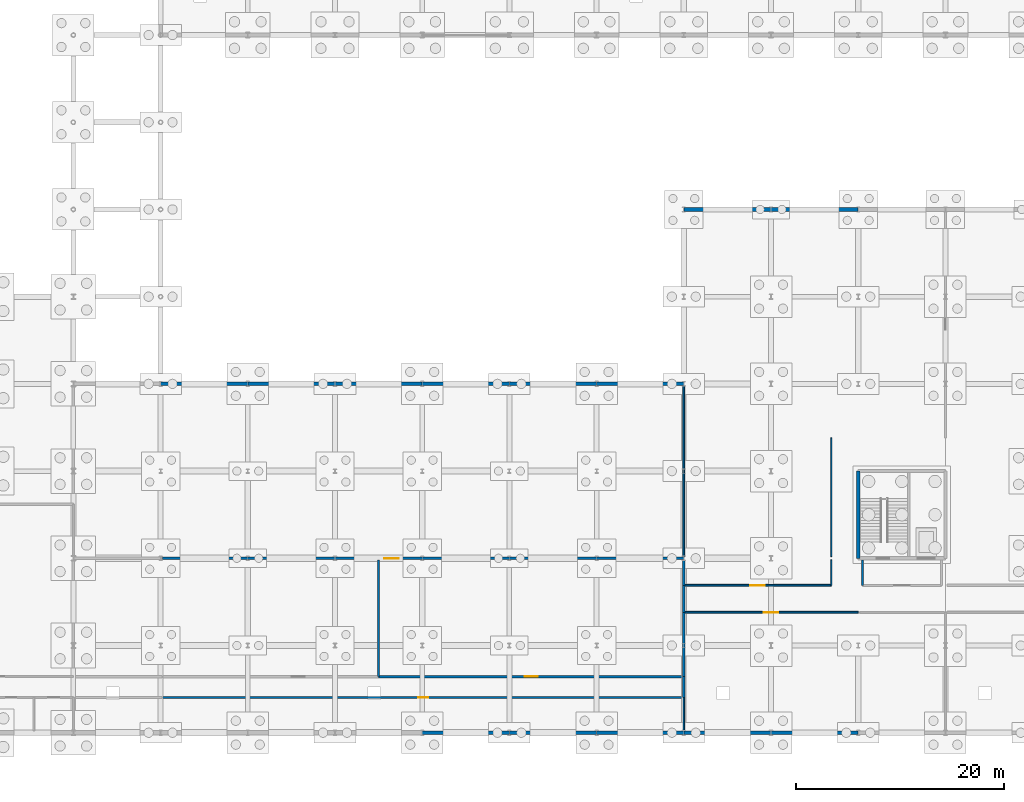
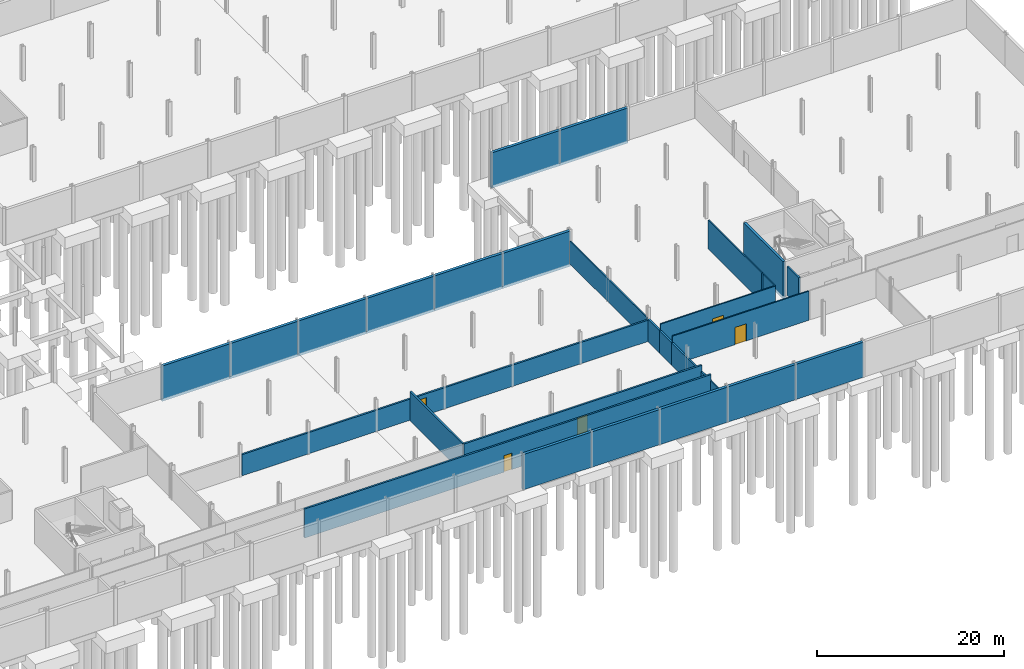
# One storey, part 34 of 51: 30 walls, 5 doors, 5 openings.
"""IFC4 building model written with IfcOpenShell, lengths in metres."""

from ifc_helpers import new_model, si_unit, direction, frame, frame_2d, origin, place, context, subcontext, project, spatial, rectangle, extrude, material, layer, layer_set, type_object, element, fill, save


model = new_model("IFC4")

# Units and contexts
model_context = context("Model", 3, precision=1e-05, world=origin(), true_north=direction((0.0, 1.0)))
body_context = subcontext(model_context, "Body", "Model", "MODEL_VIEW")
ifc_project = project(units=[si_unit("LENGTHUNIT", "METRE"), si_unit("AREAUNIT", "SQUARE_METRE"), si_unit("VOLUMEUNIT", "CUBIC_METRE"), si_unit("PLANEANGLEUNIT", "RADIAN"), si_unit("MASSUNIT", "GRAM", prefix="KILO")], contexts=[model_context])

# Site, building, storey
site_placement = place(None, origin())
site = spatial("IfcSite", under=ifc_project, at=site_placement, CompositionType="ELEMENT")
building_placement = place(site_placement, origin())
building = spatial("IfcBuilding", under=site, at=building_placement, Name="Qalvenar Corner Mobility Hub", CompositionType="ELEMENT")
storey_placement = place(building_placement, frame((0.0, 0.0, -4.5)))
storey = spatial("IfcBuildingStorey", under=building, at=storey_placement, Name="B1", CompositionType="ELEMENT", Elevation=-4.5)

# Wall
ifc_material_1 = material(Name="Concrete C40/50", Category="concrete")
ifc_layer_1 = layer(ifc_material_1, 0.300048828125)
ifc_layer_set_1 = layer_set([ifc_layer_1], Name="Concrete C40/50")
wall_type_1 = type_object("IfcWallType", Name="WL-CORE300", PredefinedType="SHEAR", material=ifc_layer_set_1)
wall_1_placement = place(storey_placement, frame((126.0, 25.199951171875, -0.35009765625), z_axis=(0.0, 0.0, 1.0), x_axis=(0.0, -1.0, 0.0)))
element("IfcWall", 1, at=wall_1_placement, inside=storey, type_object=wall_type_1, Name="Core Shear Wall C6-B1-W", PredefinedType="SHEAR", context=body_context, shape_type="SweptSolid", body=[
    extrude(rectangle(XDim=8.39990234375, YDim=0.300048828125, at=frame_2d((4.199951171875, 0.0))), origin(), (0.0, 0.0, 1.0), 4.85009765625),
])

# Wall, opening, door
ifc_material_2 = material(Name="Concrete Blockwork Masonry", Category="masonry")
ifc_layer_2 = layer(ifc_material_2, 0.219970703125)
ifc_layer_set_2 = layer_set([ifc_layer_2], Name="Concrete Blockwork Masonry")
wall_type_2 = type_object("IfcWallType", Name="WL-FIRE220", PredefinedType="PARTITIONING", material=ifc_layer_set_2)
wall_2_placement = place(storey_placement, frame((59.0, 3.39990234375, 0.0), z_axis=(0.0, 0.0, 1.0), x_axis=(1.0, 0.0, 0.0)))
wall_2 = element("IfcWall", 2, at=wall_2_placement, inside=storey, type_object=wall_type_2, Name="Interior Partition PRT-B1-008", PredefinedType="PARTITIONING", context=body_context, shape_type="SweptSolid", body=[
    extrude(rectangle(XDim=50.199951171875, YDim=0.219970703125, at=frame_2d((25.10009765625, 0.0))), origin(), (0.0, 0.0, 1.0), 3.800048828125),
])
opening_1_placement = place(wall_2_placement, frame((24.60009765625, 0.0, 0.0)))
opening_1 = element("IfcOpeningElement", 3, at=opening_1_placement, cuts=wall_2, Name="Opening DR-026", PredefinedType="OPENING", context=body_context, shape_type="SweptSolid", body=[
    extrude(rectangle(XDim=1.0, YDim=2.14990234375, at=frame_2d((0.5, 1.074951171875))), frame((0.0, 0.1201171875, 0.0), z_axis=(0.0, -1.0, 0.0), x_axis=(1.0, 0.0, 0.0)), (0.0, 0.0, 1.0), 0.239990234375),
])
ifc_material_3 = material(Name="Hardwood Teak Office Door FD30", Category="wood")
door_type_1 = type_object("IfcDoorType", Name="DR-INT-OFF100", OperationType="NOTDEFINED", PredefinedType="DOOR", material=ifc_material_3)
door_1_placement = place(opening_1_placement, origin())
door_1 = element("IfcDoor", 4, at=door_1_placement, inside=storey, type_object=door_type_1, Name="DR-026 Apron Supply Plenum Room Door", OperationType="SINGLE_SWING_RIGHT", OverallHeight=2.14990234375, OverallWidth=1.0, PredefinedType="DOOR", context=body_context, shape_type="SweptSolid", body=[
    extrude(rectangle(XDim=1.0, YDim=2.14990234375, at=frame_2d((0.5, 1.074951171875))), frame((0.0, 0.02490234375, 0.0), z_axis=(0.0, -1.0, 0.0), x_axis=(1.0, 0.0, 0.0)), (0.0, 0.0, 1.0), 0.050048828125),
])
fill(opening_1, door_1)

wall_3_placement = place(storey_placement, frame((79.800048828125, 5.39990234375, 0.0), z_axis=(0.0, 0.0, 1.0), x_axis=(1.0, 0.0, 0.0)))
wall_3 = element("IfcWall", 5, at=wall_3_placement, inside=storey, type_object=wall_type_2, Name="Interior Partition PRT-B1-014", PredefinedType="PARTITIONING", context=body_context, shape_type="SweptSolid", body=[
    extrude(rectangle(XDim=29.39990234375, YDim=0.219970703125, at=frame_2d((14.699951171875, 0.0))), origin(), (0.0, 0.0, 1.0), 3.7900390625),
])
opening_2_placement = place(wall_3_placement, frame((14.074951171875, 0.0, 0.0)))
opening_2 = element("IfcOpeningElement", 6, at=opening_2_placement, cuts=wall_3, Name="Opening DR-031", PredefinedType="OPENING", context=body_context, shape_type="SweptSolid", body=[
    extrude(rectangle(XDim=1.25, YDim=2.199951171875, at=frame_2d((0.625, 1.10009765625))), frame((0.0, 0.1201171875, 0.0), z_axis=(0.0, -1.0, 0.0), x_axis=(1.0, 0.0, 0.0)), (0.0, 0.0, 1.0), 0.239990234375),
])
ifc_material_4 = material(Name="Acoustic Steel Plant Room Door FD60", Category="steel")
door_type_2 = type_object("IfcDoorType", Name="DR-INT-PLT125", OperationType="NOTDEFINED", PredefinedType="DOOR", material=ifc_material_4)
door_2_placement = place(opening_2_placement, origin())
door_2 = element("IfcDoor", 7, at=door_2_placement, inside=storey, type_object=door_type_2, Name="DR-031 EV Grid Buffer Battery and UPS Switchroo Door", OperationType="SINGLE_SWING_LEFT", OverallHeight=2.199951171875, OverallWidth=1.25, PredefinedType="DOOR", context=body_context, shape_type="SweptSolid", body=[
    extrude(rectangle(XDim=1.25, YDim=2.199951171875, at=frame_2d((0.625, 1.10009765625))), frame((0.0, 0.02490234375, 0.0), z_axis=(0.0, -1.0, 0.0), x_axis=(1.0, 0.0, 0.0)), (0.0, 0.0, 1.0), 0.050048828125),
])
fill(opening_2, door_2)

# Wall
wall_4_placement = place(storey_placement, frame((59.0, 16.800048828125, 0.0), z_axis=(0.0, 0.0, 1.0), x_axis=(1.0, 0.0, 0.0)))
element("IfcWall", 8, at=wall_4_placement, inside=storey, type_object=wall_type_2, Name="Interior Partition PRT-B1-021", PredefinedType="PARTITIONING", context=body_context, shape_type="SweptSolid", body=[
    extrude(rectangle(XDim=20.800048828125, YDim=0.219970703125, at=frame_2d((10.39990234375, 0.0))), origin(), (0.0, 0.0, 1.0), 2.77001953125),
])

# Wall, opening, door
wall_5_placement = place(storey_placement, frame((79.800048828125, 16.800048828125, 0.0), z_axis=(0.0, 0.0, 1.0), x_axis=(1.0, 0.0, 0.0)))
wall_5 = element("IfcWall", 9, at=wall_5_placement, inside=storey, type_object=wall_type_2, Name="Interior Partition PRT-B1-022", PredefinedType="PARTITIONING", context=body_context, shape_type="SweptSolid", body=[
    extrude(rectangle(XDim=29.39990234375, YDim=0.219970703125, at=frame_2d((14.699951171875, 0.0))), origin(), (0.0, 0.0, 1.0), 2.77001953125),
])
opening_3_placement = place(wall_5_placement, frame((0.550048828125, 0.0, 0.0)))
opening_3 = element("IfcOpeningElement", 10, at=opening_3_placement, cuts=wall_5, Name="Opening DR-036", PredefinedType="OPENING", context=body_context, shape_type="SweptSolid", body=[
    extrude(rectangle(XDim=1.39990234375, YDim=2.25, at=frame_2d((0.699951171875, 1.125))), frame((0.0, 0.1201171875, 0.0), z_axis=(0.0, -1.0, 0.0), x_axis=(1.0, 0.0, 0.0)), (0.0, 0.0, 1.0), 0.239990234375),
])
ifc_material_5 = material(Name="Hardwood Teak Acoustic Double Door", Category="wood")
door_type_3 = type_object("IfcDoorType", Name="DR-INT-PUB140", OperationType="DOUBLE_DOOR_SINGLE_SWING", PredefinedType="DOOR", material=ifc_material_5)
door_3_placement = place(opening_3_placement, origin())
door_3 = element("IfcDoor", 11, at=door_3_placement, inside=storey, type_object=door_type_3, Name="DR-036 Standard Parking Deck B1 South Hall Door", OperationType="DOUBLE_DOOR_SINGLE_SWING", OverallHeight=2.25, OverallWidth=1.39990234375, PredefinedType="DOOR", context=body_context, shape_type="SweptSolid", body=[
    extrude(rectangle(XDim=1.39990234375, YDim=2.25, at=frame_2d((0.699951171875, 1.125))), frame((0.0, 0.02490234375, 0.0), z_axis=(0.0, -1.0, 0.0), x_axis=(1.0, 0.0, 0.0)), (0.0, 0.0, 1.0), 0.050048828125),
])
fill(opening_3, door_3)

# Walls
wall_6_placement = place(storey_placement, frame((79.800048828125, 5.39990234375, 0.0), z_axis=(0.0, 0.0, 1.0), x_axis=(0.0, 1.0, 0.0)))
element("IfcWall", 12, at=wall_6_placement, inside=storey, type_object=wall_type_2, Name="Interior Partition PRT-B1-051", PredefinedType="PARTITIONING", context=body_context, shape_type="SweptSolid", body=[
    extrude(rectangle(XDim=11.25, YDim=0.219970703125, at=frame_2d((5.625, 0.0))), origin(), (0.0, 0.0, 1.0), 3.800048828125),
])
wall_7_placement = place(storey_placement, frame((109.199951171875, 3.39990234375, 0.0), z_axis=(0.0, 0.0, 1.0), x_axis=(0.0, 1.0, 0.0)))
element("IfcWall", 13, at=wall_7_placement, inside=storey, type_object=wall_type_2, Name="Interior Partition PRT-B1-053", PredefinedType="PARTITIONING", context=body_context, shape_type="SweptSolid", body=[
    extrude(rectangle(XDim=2.0, YDim=0.219970703125, at=frame_2d((1.0, 0.0))), origin(), (0.0, 0.0, 1.0), 2.969970703125),
])
wall_8_placement = place(storey_placement, frame((109.199951171875, 5.39990234375, 0.0), z_axis=(0.0, 0.0, 1.0), x_axis=(0.0, 1.0, 0.0)))
element("IfcWall", 14, at=wall_8_placement, inside=storey, type_object=wall_type_2, Name="Interior Partition PRT-B1-054", PredefinedType="PARTITIONING", context=body_context, shape_type="SweptSolid", body=[
    extrude(rectangle(XDim=6.2001953125, YDim=0.219970703125, at=frame_2d((3.10009765625, 0.0))), origin(), (0.0, 0.0, 1.0), 2.969970703125),
])
wall_9_placement = place(storey_placement, frame((109.199951171875, 11.60009765625, 0.0), z_axis=(0.0, 0.0, 1.0), x_axis=(0.0, 1.0, 0.0)))
element("IfcWall", 15, at=wall_9_placement, inside=storey, type_object=wall_type_2, Name="Interior Partition PRT-B1-055", PredefinedType="PARTITIONING", context=body_context, shape_type="SweptSolid", body=[
    extrude(rectangle(XDim=2.599853515625, YDim=0.219970703125, at=frame_2d((1.2998046875, 0.0))), origin(), (0.0, 0.0, 1.0), 2.969970703125),
])
wall_10_placement = place(storey_placement, frame((109.199951171875, 14.199951171875, 0.0), z_axis=(0.0, 0.0, 1.0), x_axis=(0.0, 1.0, 0.0)))
element("IfcWall", 16, at=wall_10_placement, inside=storey, type_object=wall_type_2, Name="Interior Partition PRT-B1-056", PredefinedType="PARTITIONING", context=body_context, shape_type="SweptSolid", body=[
    extrude(rectangle(XDim=2.449951171875, YDim=0.219970703125, at=frame_2d((1.22509765625, 0.0))), origin(), (0.0, 0.0, 1.0), 2.969970703125),
])
ifc_material_6 = material(Name="Acoustic Gypsum Stud Partition", Category="masonry")
ifc_layer_3 = layer(ifc_material_6, 0.139892578125)
ifc_layer_set_3 = layer_set([ifc_layer_3], Name="Acoustic Gypsum Stud Partition")
wall_type_3 = type_object("IfcWallType", Name="WL-INT140", PredefinedType="PARTITIONING", material=ifc_layer_set_3)
wall_11_placement = place(storey_placement, frame((109.199951171875, 0.179931640625, 0.0), z_axis=(0.0, 0.0, 1.0), x_axis=(0.0, 1.0, 0.0)))
element("IfcWall", 17, at=wall_11_placement, inside=storey, type_object=wall_type_3, Name="Interior Partition PRT-B1-052", PredefinedType="PARTITIONING", context=body_context, shape_type="SweptSolid", body=[
    extrude(rectangle(XDim=3.219970703125, YDim=0.139892578125, at=frame_2d((1.60986328125, 0.0))), origin(), (0.0, 0.0, 1.0), 2.969970703125),
])
wall_12_placement = place(storey_placement, frame((123.39990234375, 14.199951171875, 0.0), z_axis=(0.0, 0.0, 1.0), x_axis=(0.0, 1.0, 0.0)))
element("IfcWall", 18, at=wall_12_placement, inside=storey, type_object=wall_type_3, Name="Interior Partition PRT-B1-058", PredefinedType="PARTITIONING", context=body_context, shape_type="SweptSolid", body=[
    extrude(rectangle(XDim=2.449951171875, YDim=0.139892578125, at=frame_2d((1.22509765625, 0.0))), origin(), (0.0, 0.0, 1.0), 3.800048828125),
])
wall_13_placement = place(storey_placement, frame((123.39990234375, 16.949951171875, 0.0), z_axis=(0.0, 0.0, 1.0), x_axis=(0.0, 1.0, 0.0)))
element("IfcWall", 19, at=wall_13_placement, inside=storey, type_object=wall_type_3, Name="Interior Partition PRT-B1-059", PredefinedType="PARTITIONING", context=body_context, shape_type="SweptSolid", body=[
    extrude(rectangle(XDim=11.449951171875, YDim=0.139892578125, at=frame_2d((5.72509765625, 0.0))), origin(), (0.0, 0.0, 1.0), 3.800048828125),
])

# Wall, opening, door
ifc_material_7 = material(Name="Plastered Clay Brick Partition", Category="masonry")
ifc_layer_4 = layer(ifc_material_7, 0.159912109375)
ifc_layer_set_4 = layer_set([ifc_layer_4], Name="Plastered Clay Brick Partition")
wall_type_4 = type_object("IfcWallType", Name="WL-INT160", PredefinedType="PARTITIONING", material=ifc_layer_set_4)
wall_14_placement = place(storey_placement, frame((109.199951171875, 11.60009765625, 0.0), z_axis=(0.0, 0.0, 1.0), x_axis=(1.0, 0.0, 0.0)))
wall_14 = element("IfcWall", 20, at=wall_14_placement, inside=storey, type_object=wall_type_4, Name="Interior Partition PRT-B1-015", PredefinedType="PARTITIONING", context=body_context, shape_type="SweptSolid", body=[
    extrude(rectangle(XDim=16.800048828125, YDim=0.159912109375, at=frame_2d((8.39990234375, 0.0))), origin(), (0.0, 0.0, 1.0), 3.800048828125),
])
opening_4_placement = place(wall_14_placement, frame((7.699951171875, 0.0, 0.0)))
opening_4 = element("IfcOpeningElement", 21, at=opening_4_placement, cuts=wall_14, Name="Opening DR-032", PredefinedType="OPENING", context=body_context, shape_type="SweptSolid", body=[
    extrude(rectangle(XDim=1.39990234375, YDim=2.25, at=frame_2d((0.699951171875, 1.125))), frame((0.0, 0.08984375, 0.0), z_axis=(0.0, -1.0, 0.0), x_axis=(1.0, 0.0, 0.0)), (0.0, 0.0, 1.0), 0.179931640625),
])
door_4_placement = place(opening_4_placement, origin())
door_4 = element("IfcDoor", 22, at=door_4_placement, inside=storey, type_object=door_type_3, Name="DR-032 Heavy Bus Chassis Service Pit Door", OperationType="DOUBLE_DOOR_SINGLE_SWING", OverallHeight=2.25, OverallWidth=1.39990234375, PredefinedType="DOOR", context=body_context, shape_type="SweptSolid", body=[
    extrude(rectangle(XDim=1.39990234375, YDim=2.25, at=frame_2d((0.699951171875, 1.125))), frame((0.0, 0.02490234375, 0.0), z_axis=(0.0, -1.0, 0.0), x_axis=(1.0, 0.0, 0.0)), (0.0, 0.0, 1.0), 0.050048828125),
])
fill(opening_4, door_4)

wall_15_placement = place(storey_placement, frame((109.199951171875, 14.199951171875, 0.0), z_axis=(0.0, 0.0, 1.0), x_axis=(1.0, 0.0, 0.0)))
wall_15 = element("IfcWall", 23, at=wall_15_placement, inside=storey, type_object=wall_type_4, Name="Interior Partition PRT-B1-018", PredefinedType="PARTITIONING", context=body_context, shape_type="SweptSolid", body=[
    extrude(rectangle(XDim=14.199951171875, YDim=0.159912109375, at=frame_2d((7.10009765625, 0.0))), origin(), (0.0, 0.0, 1.0), 3.800048828125),
])
opening_5_placement = place(wall_15_placement, frame((6.39990234375, 0.0, 0.0)))
opening_5 = element("IfcOpeningElement", 24, at=opening_5_placement, cuts=wall_15, Name="Opening DR-034", PredefinedType="OPENING", context=body_context, shape_type="SweptSolid", body=[
    extrude(rectangle(XDim=1.39990234375, YDim=2.25, at=frame_2d((0.699951171875, 1.125))), frame((0.0, 0.08984375, 0.0), z_axis=(0.0, -1.0, 0.0), x_axis=(1.0, 0.0, 0.0)), (0.0, 0.0, 1.0), 0.179931640625),
])
door_5_placement = place(opening_5_placement, origin())
door_5 = element("IfcDoor", 25, at=door_5_placement, inside=storey, type_object=door_type_3, Name="DR-034 Underground EV Fleet Inspection Bay Door", OperationType="DOUBLE_DOOR_SINGLE_SWING", OverallHeight=2.25, OverallWidth=1.39990234375, PredefinedType="DOOR", context=body_context, shape_type="SweptSolid", body=[
    extrude(rectangle(XDim=1.39990234375, YDim=2.25, at=frame_2d((0.699951171875, 1.125))), frame((0.0, 0.02490234375, 0.0), z_axis=(0.0, -1.0, 0.0), x_axis=(1.0, 0.0, 0.0)), (0.0, 0.0, 1.0), 0.050048828125),
])
fill(opening_5, door_5)

# Walls
wall_16_placement = place(storey_placement, frame((109.199951171875, 16.949951171875, 0.0), z_axis=(0.0, 0.0, 1.0), x_axis=(0.0, 1.0, 0.0)))
element("IfcWall", 26, at=wall_16_placement, inside=storey, type_object=wall_type_4, Name="Interior Partition PRT-B1-057", PredefinedType="PARTITIONING", context=body_context, shape_type="SweptSolid", body=[
    extrude(rectangle(XDim=16.469970703125, YDim=0.159912109375, at=frame_2d((8.23486328125, 0.0))), origin(), (0.0, 0.0, 1.0), 2.969970703125),
])
ifc_material_8 = material(Name="Concrete Blockwork Masonry", Category="masonry")
ifc_layer_5 = layer(ifc_material_8, 0.199951171875)
ifc_layer_set_5 = layer_set([ifc_layer_5], Name="Concrete Blockwork Masonry")
wall_type_5 = type_object("IfcWallType", Name="WL-LOBBY200", PredefinedType="PARTITIONING", material=ifc_layer_set_5)
wall_17_placement = place(storey_placement, frame((126.39990234375, 14.199951171875, 0.0), z_axis=(0.0, 0.0, 1.0), x_axis=(0.0, 1.0, 0.0)))
element("IfcWall", 27, at=wall_17_placement, inside=storey, type_object=wall_type_5, Name="Interior Partition WL-LOB-C6-B1-W", PredefinedType="PARTITIONING", context=body_context, shape_type="SweptSolid", body=[
    extrude(rectangle(XDim=2.449951171875, YDim=0.199951171875, at=frame_2d((1.22509765625, 0.0))), origin(), (0.0, 0.0, 1.0), 3.820068359375),
])
ifc_layer_6 = layer(ifc_material_1, 0.35009765625)
ifc_layer_set_6 = layer_set([ifc_layer_6], Name="Concrete C40/50")
wall_type_6 = type_object("IfcWallType", Name="WL-RET350", PredefinedType="SOLIDWALL", material=ifc_layer_set_6)
wall_18_placement = place(storey_placement, frame((84.0, 0.0, -0.35009765625), z_axis=(0.0, 0.0, 1.0), x_axis=(1.0, 0.0, 0.0)))
element("IfcWall", 28, at=wall_18_placement, inside=storey, type_object=wall_type_6, Name="Basement Retaining Wall BW-011", PredefinedType="SOLIDWALL", context=body_context, shape_type="SweptSolid", body=[
    extrude(rectangle(XDim=8.39990234375, YDim=0.35009765625, at=frame_2d((4.199951171875, 0.0))), origin(), (0.0, 0.0, 1.0), 4.60009765625),
])
wall_19_placement = place(storey_placement, frame((92.39990234375, 0.0, -0.35009765625), z_axis=(0.0, 0.0, 1.0), x_axis=(1.0, 0.0, 0.0)))
element("IfcWall", 29, at=wall_19_placement, inside=storey, type_object=wall_type_6, Name="Basement Retaining Wall BW-012", PredefinedType="SOLIDWALL", context=body_context, shape_type="SweptSolid", body=[
    extrude(rectangle(XDim=8.400146484375, YDim=0.35009765625, at=frame_2d((4.2001953125, 0.0))), origin(), (0.0, 0.0, 1.0), 4.60009765625),
])
wall_20_placement = place(storey_placement, frame((100.800048828125, 0.0, -0.35009765625), z_axis=(0.0, 0.0, 1.0), x_axis=(1.0, 0.0, 0.0)))
element("IfcWall", 30, at=wall_20_placement, inside=storey, type_object=wall_type_6, Name="Basement Retaining Wall BW-013", PredefinedType="SOLIDWALL", context=body_context, shape_type="SweptSolid", body=[
    extrude(rectangle(XDim=8.39990234375, YDim=0.35009765625, at=frame_2d((4.199951171875, 0.0))), origin(), (0.0, 0.0, 1.0), 4.60009765625),
])
wall_21_placement = place(storey_placement, frame((109.199951171875, 0.0, -0.35009765625), z_axis=(0.0, 0.0, 1.0), x_axis=(1.0, 0.0, 0.0)))
element("IfcWall", 31, at=wall_21_placement, inside=storey, type_object=wall_type_6, Name="Basement Retaining Wall BW-014", PredefinedType="SOLIDWALL", context=body_context, shape_type="SweptSolid", body=[
    extrude(rectangle(XDim=8.400146484375, YDim=0.35009765625, at=frame_2d((4.2001953125, 0.0))), origin(), (0.0, 0.0, 1.0), 4.60009765625),
])
wall_22_placement = place(storey_placement, frame((117.60009765625, 0.0, -0.35009765625), z_axis=(0.0, 0.0, 1.0), x_axis=(1.0, 0.0, 0.0)))
element("IfcWall", 32, at=wall_22_placement, inside=storey, type_object=wall_type_6, Name="Basement Retaining Wall BW-015", PredefinedType="SOLIDWALL", context=body_context, shape_type="SweptSolid", body=[
    extrude(rectangle(XDim=8.39990234375, YDim=0.35009765625, at=frame_2d((4.199951171875, 0.0))), origin(), (0.0, 0.0, 1.0), 4.60009765625),
])
wall_23_placement = place(storey_placement, frame((117.60009765625, 50.39990234375, -0.35009765625), z_axis=(0.0, 0.0, 1.0), x_axis=(-1.0, 0.0, 0.0)))
element("IfcWall", 33, at=wall_23_placement, inside=storey, type_object=wall_type_6, Name="Basement Retaining Wall BW-027", PredefinedType="SOLIDWALL", context=body_context, shape_type="SweptSolid", body=[
    extrude(rectangle(XDim=8.400146484375, YDim=0.35009765625, at=frame_2d((4.2001953125, 0.0))), origin(), (0.0, 0.0, 1.0), 4.60009765625),
])
for number, where, z_axis, x_axis, name in (
    (34, (126.0, 50.39990234375, -0.35009765625), (0.0, 0.0, 1.0), (-1.0, 0.0, 0.0), "Basement Retaining Wall BW-028"),
    (35, (67.199951171875, 33.60009765625, -0.35009765625), (0.0, 0.0, 1.0), (-1.0, 0.0, 0.0), "Basement Retaining Wall BW-035"),
):
    element("IfcWall", number, at=place(storey_placement, frame(where, z_axis=z_axis, x_axis=x_axis)), inside=storey, type_object=wall_type_6, Name=name, PredefinedType="SOLIDWALL", context=body_context, shape_type="SweptSolid", body=[
        extrude(rectangle(XDim=8.39990234375, YDim=0.35009765625, at=frame_2d((4.199951171875, 0.0))), origin(), (0.0, 0.0, 1.0), 4.60009765625),
    ])
wall_24_placement = place(storey_placement, frame((75.60009765625, 33.60009765625, -0.35009765625), z_axis=(0.0, 0.0, 1.0), x_axis=(-1.0, 0.0, 0.0)))
element("IfcWall", 36, at=wall_24_placement, inside=storey, type_object=wall_type_6, Name="Basement Retaining Wall BW-036", PredefinedType="SOLIDWALL", context=body_context, shape_type="SweptSolid", body=[
    extrude(rectangle(XDim=8.400146484375, YDim=0.35009765625, at=frame_2d((4.2001953125, 0.0))), origin(), (0.0, 0.0, 1.0), 4.60009765625),
])
for number, where, z_axis, x_axis, name in (
    (37, (84.0, 33.60009765625, -0.35009765625), (0.0, 0.0, 1.0), (-1.0, 0.0, 0.0), "Basement Retaining Wall BW-037"),
    (38, (92.39990234375, 33.60009765625, -0.35009765625), (0.0, 0.0, 1.0), (-1.0, 0.0, 0.0), "Basement Retaining Wall BW-038"),
):
    element("IfcWall", number, at=place(storey_placement, frame(where, z_axis=z_axis, x_axis=x_axis)), inside=storey, type_object=wall_type_6, Name=name, PredefinedType="SOLIDWALL", context=body_context, shape_type="SweptSolid", body=[
        extrude(rectangle(XDim=8.39990234375, YDim=0.35009765625, at=frame_2d((4.199951171875, 0.0))), origin(), (0.0, 0.0, 1.0), 4.60009765625),
    ])
wall_25_placement = place(storey_placement, frame((100.800048828125, 33.60009765625, -0.35009765625), z_axis=(0.0, 0.0, 1.0), x_axis=(-1.0, 0.0, 0.0)))
element("IfcWall", 39, at=wall_25_placement, inside=storey, type_object=wall_type_6, Name="Basement Retaining Wall BW-039", PredefinedType="SOLIDWALL", context=body_context, shape_type="SweptSolid", body=[
    extrude(rectangle(XDim=8.400146484375, YDim=0.35009765625, at=frame_2d((4.2001953125, 0.0))), origin(), (0.0, 0.0, 1.0), 4.60009765625),
])
wall_26_placement = place(storey_placement, frame((109.199951171875, 33.60009765625, -0.35009765625), z_axis=(0.0, 0.0, 1.0), x_axis=(-1.0, 0.0, 0.0)))
element("IfcWall", 40, at=wall_26_placement, inside=storey, type_object=wall_type_6, Name="Basement Retaining Wall BW-040", PredefinedType="SOLIDWALL", context=body_context, shape_type="SweptSolid", body=[
    extrude(rectangle(XDim=8.39990234375, YDim=0.35009765625, at=frame_2d((4.199951171875, 0.0))), origin(), (0.0, 0.0, 1.0), 4.60009765625),
])

save(model, "model.ifc")
